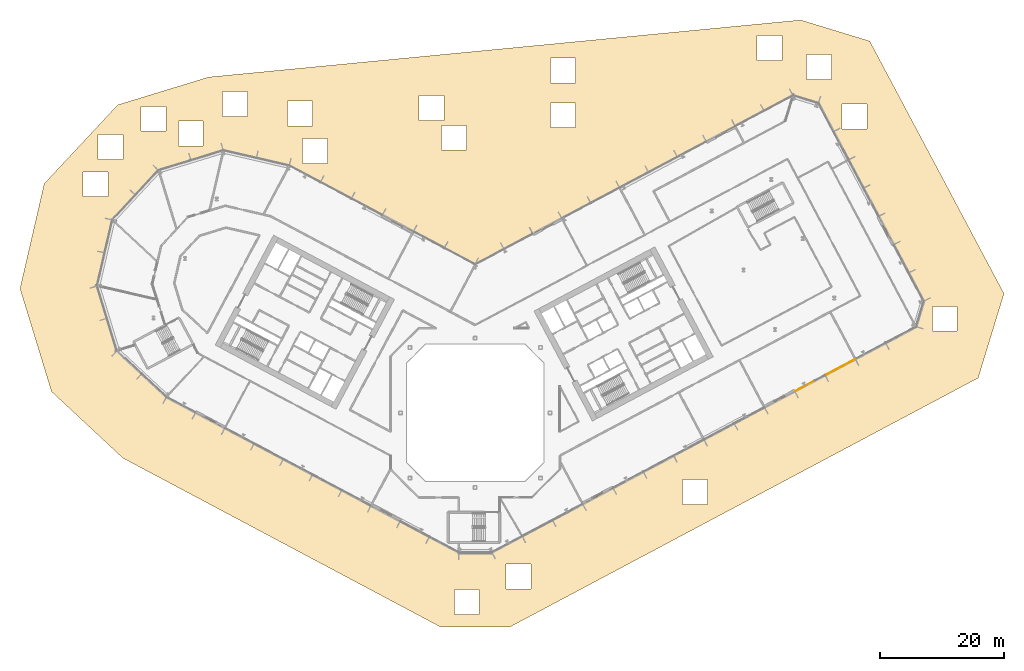
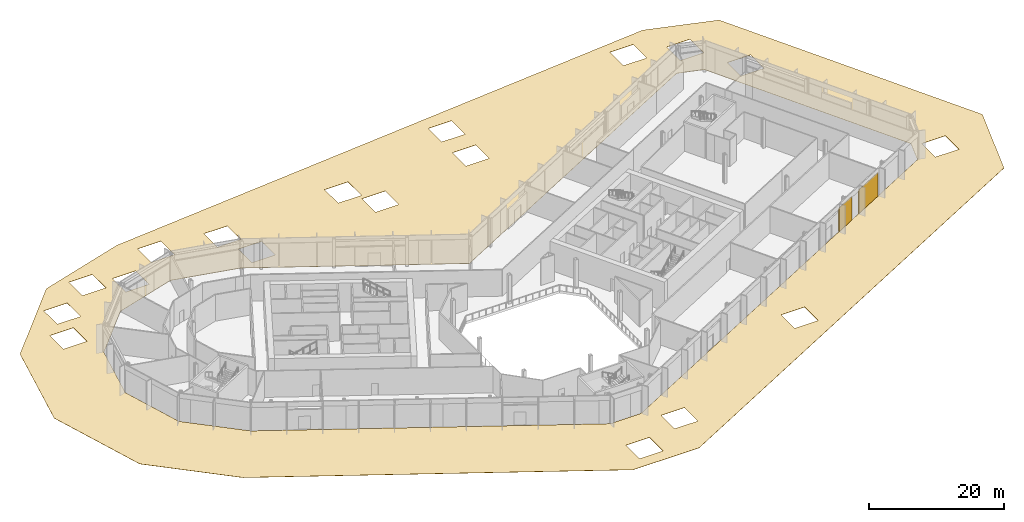
# One storey, part 27 of 30: 3 coverings, 1 element without a shape of its own.
"""IFC4 building model written with IfcOpenShell, lengths in metres."""

from ifc_helpers import new_model, si_unit, direction, frame, origin, origin_2d, place, context, subcontext, project, spatial, polyline, rectangle, outline, extrude, material, layer, layer_set, type_object, element, aggregate, save


model = new_model("IFC4")

# Units and contexts
model_context = context("Model", 3, precision=1e-05, world=origin(), true_north=direction((0.0, 1.0)))
body_context = subcontext(model_context, "Body", "Model", "MODEL_VIEW")
ifc_project = project(units=[si_unit("LENGTHUNIT", "METRE"), si_unit("AREAUNIT", "SQUARE_METRE"), si_unit("VOLUMEUNIT", "CUBIC_METRE"), si_unit("PLANEANGLEUNIT", "RADIAN"), si_unit("MASSUNIT", "GRAM", prefix="KILO")], contexts=[model_context])

# Site, building, storey
site_placement = place(None, origin())
site = spatial("IfcSite", under=ifc_project, at=site_placement, CompositionType="ELEMENT")
building_placement = place(site_placement, origin())
building = spatial("IfcBuilding", under=site, at=building_placement, Name="Cormorant Relay Tower", CompositionType="ELEMENT")
storey_placement = place(building_placement, frame((0.0, 0.0, 7.0)))
storey = spatial("IfcBuildingStorey", under=building, at=storey_placement, Name="L01", CompositionType="ELEMENT", Elevation=7.0)

# Curtain wall, coverings
ifc_material_1 = material(Name="Aluminium 6063-T6 anodised bronze", Category="aluminium")
ifc_layer_1 = layer(ifc_material_1, 0.235107421875)
ifc_layer_set_1 = layer_set([ifc_layer_1], Name="CW6 data hall curtain wall with mineral wool panels")
curtain_wall_type = type_object("IfcCurtainWallType", Name="CW6 data hall curtain wall with mineral wool panels", PredefinedType="NOTDEFINED", material=ifc_layer_set_1)
curtain_wall_placement = place(storey_placement, origin())
curtain_wall = element("IfcCurtainWall", 1, at=curtain_wall_placement, inside=storey, type_object=curtain_wall_type, Name="CW6 curtain wall 2", PredefinedType="NOTDEFINED")
ifc_material_2 = material(Name="Mineral wool cored anodised bronze aluminium cassette panel", Category="aluminium")
ifc_layer_2 = layer(ifc_material_2, 0.074951171875)
ifc_layer_set_2 = layer_set([ifc_layer_2], Name="CW6 mineral wool cassette panel 75")
covering_type_1 = type_object("IfcCoveringType", Name="CW6 mineral wool cassette panel 75", PredefinedType="CLADDING", material=ifc_layer_set_2)
covering_1_placement = place(storey_placement, frame((52.971923828125, 4.339111328125, 0.0), z_axis=(0.0, 0.0, 1.0), x_axis=(0.882947592859, 0.469471562786, 0.0)))
covering_1 = element("IfcCovering", 2, at=covering_1_placement, type_object=covering_type_1, Name="CW6 panel S10", PredefinedType="CLADDING", context=body_context, shape_type="SweptSolid", body=[
    extrude(rectangle(XDim=3.561767578125, YDim=0.074951171875, at=origin_2d()), origin(), (0.0, 0.0, 1.0), 4.300048828125),
])
covering_2_placement = place(storey_placement, frame((58.63330078125, 7.349365234375, 0.0), z_axis=(0.0, 0.0, 1.0), x_axis=(0.882947592859, 0.469471562786, 0.0)))
covering_2 = element("IfcCovering", 3, at=covering_2_placement, type_object=covering_type_1, Name="CW6 panel S12", PredefinedType="CLADDING", context=body_context, shape_type="SweptSolid", body=[
    extrude(rectangle(XDim=5.36181640625, YDim=0.074951171875, at=origin_2d()), origin(), (0.0, 0.0, 1.0), 4.300048828125),
])
aggregate(curtain_wall, [covering_1, covering_2])

# Covering
ifc_material_3 = material(Name="Bituminous membrane")
ifc_layer_3 = layer(ifc_material_3, 0.030029296875)
ifc_layer_set_3 = layer_set([ifc_layer_3], Name="Deck waterproofing")
covering_type_2 = type_object("IfcCoveringType", Name="Deck waterproofing", PredefinedType="ROOFING", material=ifc_layer_set_3)
covering_3_placement = place(storey_placement, frame((0.0, 0.0, -0.080078125)))
element("IfcCovering", 4, at=covering_3_placement, inside=storey, type_object=covering_type_2, Name="Deck waterproofing", PredefinedType="ROOFING", context=body_context, shape_type="SweptSolid", body=[
    extrude(outline(polyline([(-5.640869140625, -34.37548828125), (5.640869140625, -34.37548828125), (80.8046875, 5.58984375), (84.95166015625, 19.15380859375), (63.383544921875, 59.71728515625), (52.289794921875, 63.109130859375), (-42.819091796875, 53.942138671875), (-57.4443359375, 49.470703125), (-69.24365234375, 36.8173828125), (-73.135498046875, 19.959716796875), (-68.0771484375, 3.41455078125), (-56.6201171875, -7.269287109375), (-5.640869140625, -34.37548828125)]), holes=[polyline([(2.648681640625, -22.37548828125), (70.7822265625, 13.8515625), (72.022705078125, 17.908935546875), (55.12158203125, 49.695068359375), (51.064453125, 50.935302734375), (0.0, 23.783935546875), (-29.873779296875, 39.668212890625), (-40.465576171875, 42.11328125), (-50.86083984375, 38.935302734375), (-58.2744140625, 30.985107421875), (-60.7197265625, 20.393310546875), (-57.541748046875, 9.997802734375), (-49.591552734375, 2.584228515625), (-2.648681640625, -22.37548828125), (2.648681640625, -22.37548828125)]), polyline([(-59.02392578125, 38.719970703125), (-63.02392578125, 38.719970703125), (-63.02392578125, 34.719970703125), (-59.02392578125, 34.719970703125), (-59.02392578125, 38.719970703125)]), polyline([(-23.760009765625, 44.093017578125), (-27.760009765625, 44.093017578125), (-27.760009765625, 40.093017578125), (-23.760009765625, 40.093017578125), (-23.760009765625, 44.093017578125)]), polyline([(-56.6240234375, 44.719970703125), (-60.6240234375, 44.719970703125), (-60.6240234375, 40.719970703125), (-56.6240234375, 40.719970703125), (-56.6240234375, 44.719970703125)]), polyline([(-1.425048828125, 46.196044921875), (-5.425048828125, 46.196044921875), (-5.425048828125, 42.196044921875), (-1.425048828125, 42.196044921875), (-1.425048828125, 46.196044921875)]), polyline([(-43.7060546875, 46.843017578125), (-47.7060546875, 46.843017578125), (-47.7060546875, 42.843017578125), (-43.7060546875, 42.843017578125), (-43.7060546875, 46.843017578125)]), polyline([(-49.7060546875, 49.242919921875), (-53.7060546875, 49.242919921875), (-53.7060546875, 45.242919921875), (-49.7060546875, 45.242919921875), (-49.7060546875, 49.242919921875)]), polyline([(-26.159912109375, 50.093017578125), (-30.159912109375, 50.093017578125), (-30.159912109375, 46.093017578125), (-26.159912109375, 46.093017578125), (-26.159912109375, 50.093017578125)]), polyline([(-5.02490234375, 46.99609375), (-5.02490234375, 50.99609375), (-9.02490234375, 50.99609375), (-9.02490234375, 46.99609375), (-5.02490234375, 46.99609375)]), polyline([(-36.6220703125, 47.597900390625), (-36.6220703125, 51.597900390625), (-40.6220703125, 51.597900390625), (-40.6220703125, 47.597900390625), (-36.6220703125, 47.597900390625)]), polyline([(0.638916015625, -28.3759765625), (-3.361083984375, -28.3759765625), (-3.361083984375, -32.3759765625), (0.638916015625, -32.3759765625), (0.638916015625, -28.3759765625)]), polyline([(8.9580078125, -24.2919921875), (4.9580078125, -24.2919921875), (4.9580078125, -28.2919921875), (8.9580078125, -28.2919921875), (8.9580078125, -24.2919921875)]), polyline([(37.330078125, -10.73388671875), (33.330078125, -10.73388671875), (33.330078125, -14.73388671875), (37.330078125, -14.73388671875), (37.330078125, -10.73388671875)]), polyline([(77.43505859375, 17.113037109375), (73.43505859375, 17.113037109375), (73.43505859375, 13.113037109375), (77.43505859375, 13.113037109375), (77.43505859375, 17.113037109375)]), polyline([(62.930908203125, 49.596923828125), (58.930908203125, 49.596923828125), (58.930908203125, 45.596923828125), (62.930908203125, 45.596923828125), (62.930908203125, 49.596923828125)]), polyline([(16.111083984375, 49.802001953125), (12.111083984375, 49.802001953125), (12.111083984375, 45.802001953125), (16.111083984375, 45.802001953125), (16.111083984375, 49.802001953125)]), polyline([(16.111083984375, 57.001953125), (12.111083984375, 57.001953125), (12.111083984375, 53.001953125), (16.111083984375, 53.001953125), (16.111083984375, 57.001953125)]), polyline([(57.202880859375, 53.548095703125), (57.202880859375, 57.548095703125), (53.202880859375, 57.548095703125), (53.202880859375, 53.548095703125), (57.202880859375, 53.548095703125)]), polyline([(49.24609375, 56.591064453125), (49.24609375, 60.591064453125), (45.24609375, 60.591064453125), (45.24609375, 56.591064453125), (49.24609375, 56.591064453125)])]), origin(), (0.0, 0.0, 1.0), 0.030029296875),
])

save(model, "model.ifc")
